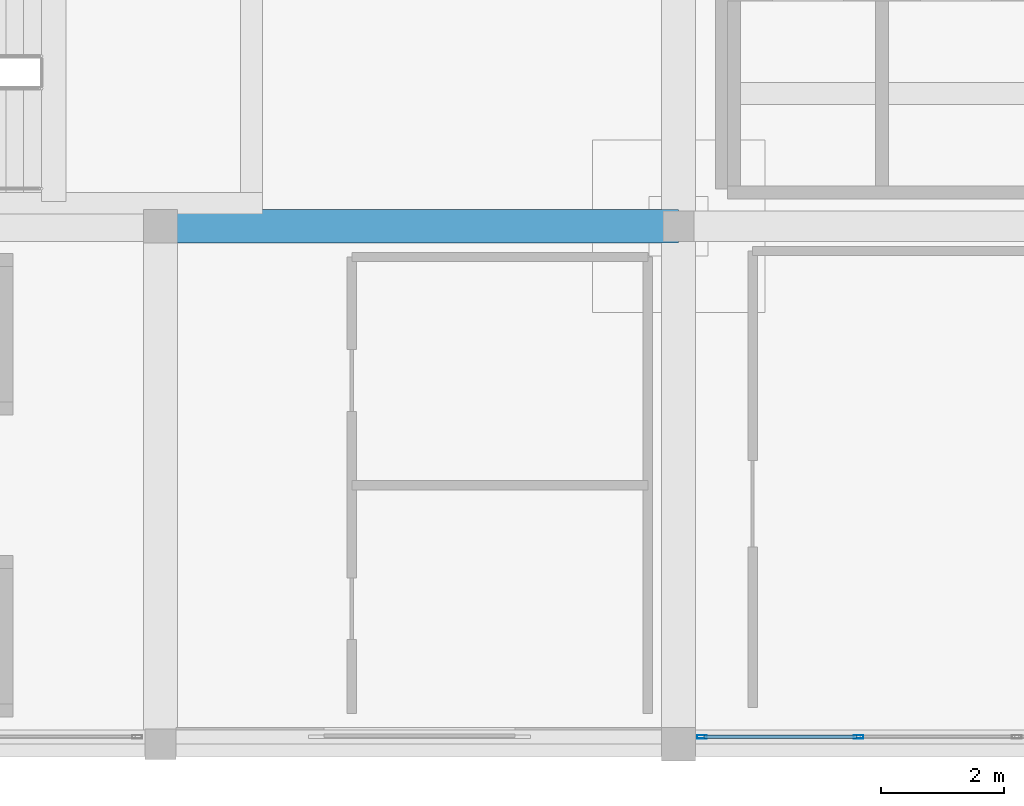
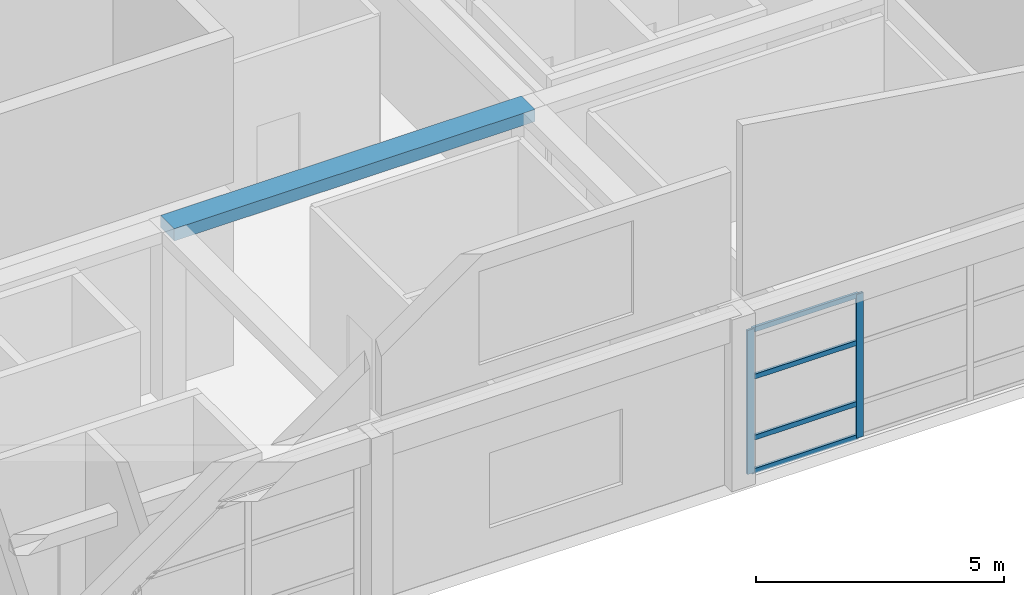
# One storey, part 5 of 17: 6 members, 1 beam, 1 element without a shape of its own.
"""IFC4 building model written with IfcOpenShell, lengths in metres."""

from ifc_helpers import new_model, si_unit, direction, frame, origin, origin_2d, place, context, subcontext, project, spatial, rectangle, hollow_rectangle, extrude, material, material_profile, profile_set, type_object, element, aggregate, save


model = new_model("IFC4")

# Units and contexts
model_context = context("Model", 3, precision=1e-05, world=origin(), true_north=direction((0.0, 1.0)))
body_context = subcontext(model_context, "Body", "Model", "MODEL_VIEW")
ifc_project = project(units=[si_unit("LENGTHUNIT", "METRE"), si_unit("AREAUNIT", "SQUARE_METRE"), si_unit("VOLUMEUNIT", "CUBIC_METRE"), si_unit("PLANEANGLEUNIT", "RADIAN"), si_unit("MASSUNIT", "GRAM", prefix="KILO")], contexts=[model_context])

# Site, building, storey
site_placement = place(None, origin())
site = spatial("IfcSite", under=ifc_project, at=site_placement, CompositionType="ELEMENT")
building_placement = place(site_placement, origin())
building = spatial("IfcBuilding", under=site, at=building_placement, Name="Almacenes y Pasaje Nevantli", CompositionType="ELEMENT")
storey_placement = place(building_placement, frame((0.0, 0.0, 66.699951171875)))
storey = spatial("IfcBuildingStorey", under=building, at=storey_placement, Name="L16", CompositionType="ELEMENT", Elevation=66.699951171875)

# Beam
ifc_material_1 = material(Name="Concrete C35/45", Category="concrete")
ifc_material_profile_1 = material_profile(ifc_material_1, rectangle(XDim=0.550048828125, YDim=0.300048828125, at=origin_2d()), Name="RC-BM-550x300")
ifc_profile_set_1 = profile_set([ifc_material_profile_1], Name="Concrete C35/45")
beam_type = type_object("IfcBeamType", Name="BM-RC-550x300", PredefinedType="BEAM", material=ifc_profile_set_1)
beam_placement = place(storey_placement, frame((126.0, 75.60009765625, 4.070068359375), z_axis=(1.0, 0.0, 0.0), x_axis=(0.0, 1.0, 0.0)))
element("IfcBeam", 1, at=beam_placement, inside=storey, type_object=beam_type, Name="L16 East-West Reinforced Concrete Beam #4047", PredefinedType="BEAM", context=body_context, shape_type="SweptSolid", body=[
    extrude(rectangle(XDim=0.550048828125, YDim=0.300048828125, at=origin_2d()), origin(), (0.0, 0.0, 1.0), 8.39990234375),
])

# Curtain wall, members
ifc_material_2 = material(Name="Thermally Broken Aluminium and Low-E Glass", Category="aluminium")
curtain_wall_type = type_object("IfcCurtainWallType", Name="CW-UNIT-TOWER", PredefinedType="USERDEFINED", material=ifc_material_2)
curtain_wall_placement = place(storey_placement, origin())
curtain_wall = element("IfcCurtainWall", 2, at=curtain_wall_placement, inside=storey, type_object=curtain_wall_type, Name="L16 Tower South Unitized Curtain Wall Bay 17", ObjectType="UNITIZED CURTAIN WALL", PredefinedType="USERDEFINED")
ifc_material_3 = material(Name="Thermally Broken Anodized Aluminium", Category="aluminium")
ifc_material_profile_2 = material_profile(ifc_material_3, hollow_rectangle(XDim=0.06005859375, YDim=0.159912109375, WallThickness=0.00390625, at=origin_2d()), Name="ALU-MUL-60x160")
ifc_profile_set_2 = profile_set([ifc_material_profile_2], Name="Thermally Broken Anodized Aluminium")
member_type_1 = type_object("IfcMemberType", Name="CW-MUL-180", PredefinedType="MULLION", material=ifc_profile_set_2)
member_1_placement = place(storey_placement, frame((134.780029296875, 67.320068359375, 0.0), z_axis=(0.0, 0.0, 1.0), x_axis=(0.0, 1.0, 0.0)))
member_1 = element("IfcMember", 3, at=member_1_placement, type_object=member_type_1, Name="CW-L16-193 mullion 1", PredefinedType="MULLION", context=body_context, shape_type="SweptSolid", body=[
    extrude(hollow_rectangle(XDim=0.06005859375, YDim=0.159912109375, WallThickness=0.00390625, at=origin_2d()), origin(), (0.0, 0.0, 1.0), 3.5400390625),
])
member_2_placement = place(storey_placement, frame((137.316650390625, 67.320068359375, 0.0), z_axis=(0.0, 0.0, 1.0), x_axis=(0.0, 1.0, 0.0)))
member_2 = element("IfcMember", 4, at=member_2_placement, type_object=member_type_1, Name="CW-L16-193 mullion 2", PredefinedType="MULLION", context=body_context, shape_type="SweptSolid", body=[
    extrude(hollow_rectangle(XDim=0.06005859375, YDim=0.159912109375, WallThickness=0.00390625, at=origin_2d()), origin(), (0.0, 0.0, 1.0), 3.5400390625),
])
ifc_material_4 = material(Name="Thermally Broken Anodized Aluminium", Category="aluminium")
ifc_material_profile_3 = material_profile(ifc_material_4, hollow_rectangle(XDim=0.06005859375, YDim=0.1201171875, WallThickness=0.00341796875, at=origin_2d()), Name="ALU-TRN-60x120")
ifc_profile_set_3 = profile_set([ifc_material_profile_3], Name="Thermally Broken Anodized Aluminium")
member_type_2 = type_object("IfcMemberType", Name="CW-TRN-130", PredefinedType="USERDEFINED", material=ifc_profile_set_3)
member_3_placement = place(storey_placement, frame((134.81005859375, 67.320068359375, 0.030029296875), z_axis=(1.0, 0.0, 0.0), x_axis=(0.0, 1.0, 0.0)))
member_3 = element("IfcMember", 5, at=member_3_placement, type_object=member_type_2, Name="CW-L16-193 transom 1.1", ObjectType="TRANSOM", PredefinedType="USERDEFINED", context=body_context, shape_type="SweptSolid", body=[
    extrude(hollow_rectangle(XDim=0.06005859375, YDim=0.1201171875, WallThickness=0.00341796875, at=origin_2d()), origin(), (0.0, 0.0, 1.0), 2.4765625),
])
member_4_placement = place(storey_placement, frame((134.81005859375, 67.320068359375, 0.85009765625), z_axis=(1.0, 0.0, 0.0), x_axis=(0.0, 1.0, 0.0)))
member_4 = element("IfcMember", 6, at=member_4_placement, type_object=member_type_2, Name="CW-L16-193 transom 1.2", ObjectType="TRANSOM", PredefinedType="USERDEFINED", context=body_context, shape_type="SweptSolid", body=[
    extrude(hollow_rectangle(XDim=0.06005859375, YDim=0.1201171875, WallThickness=0.00341796875, at=origin_2d()), origin(), (0.0, 0.0, 1.0), 2.4765625),
])
member_5_placement = place(storey_placement, frame((134.81005859375, 67.320068359375, 2.35009765625), z_axis=(1.0, 0.0, 0.0), x_axis=(0.0, 1.0, 0.0)))
member_5 = element("IfcMember", 7, at=member_5_placement, type_object=member_type_2, Name="CW-L16-193 transom 1.3", ObjectType="TRANSOM", PredefinedType="USERDEFINED", context=body_context, shape_type="SweptSolid", body=[
    extrude(hollow_rectangle(XDim=0.06005859375, YDim=0.1201171875, WallThickness=0.00341796875, at=origin_2d()), origin(), (0.0, 0.0, 1.0), 2.4765625),
])
member_6_placement = place(storey_placement, frame((134.81005859375, 67.320068359375, 3.510009765625), z_axis=(1.0, 0.0, 0.0), x_axis=(0.0, 1.0, 0.0)))
member_6 = element("IfcMember", 8, at=member_6_placement, type_object=member_type_2, Name="CW-L16-193 transom 1.4", ObjectType="TRANSOM", PredefinedType="USERDEFINED", context=body_context, shape_type="SweptSolid", body=[
    extrude(hollow_rectangle(XDim=0.06005859375, YDim=0.1201171875, WallThickness=0.00341796875, at=origin_2d()), origin(), (0.0, 0.0, 1.0), 2.4765625),
])
aggregate(curtain_wall, [member_1, member_2, member_3, member_4, member_5, member_6])

save(model, "model.ifc")
